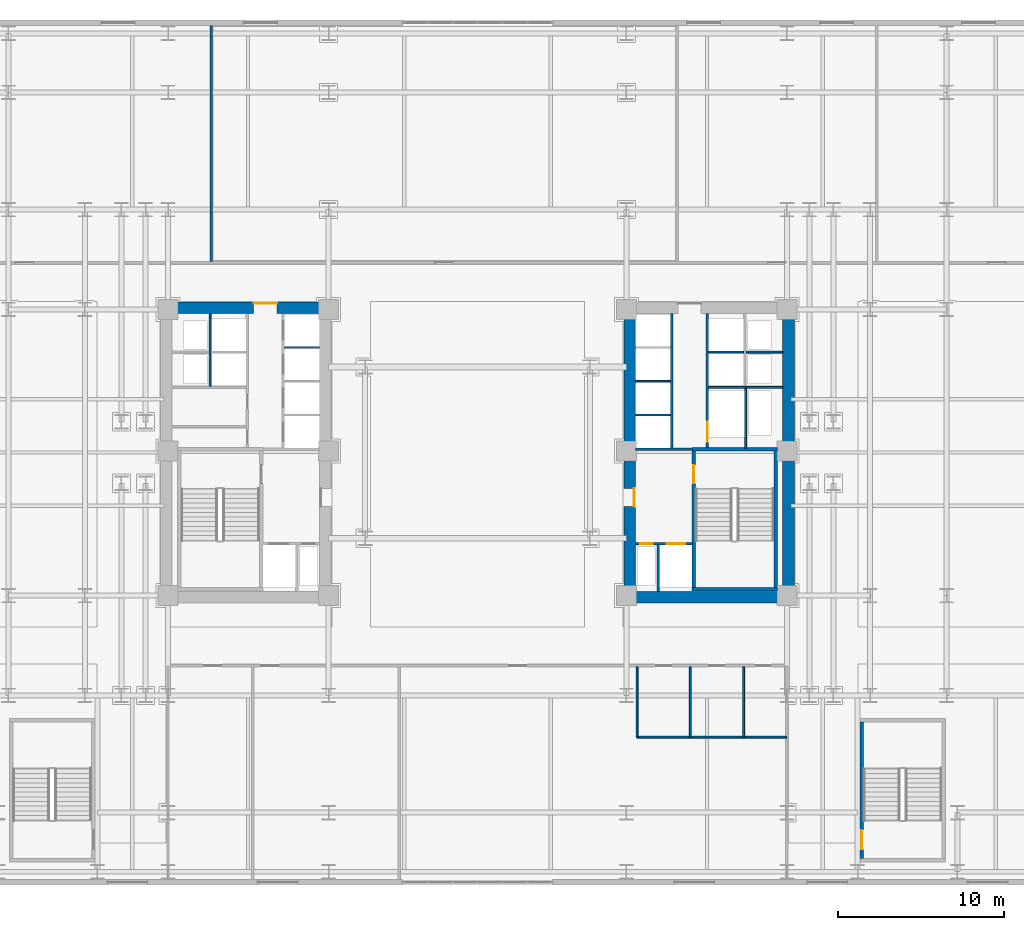
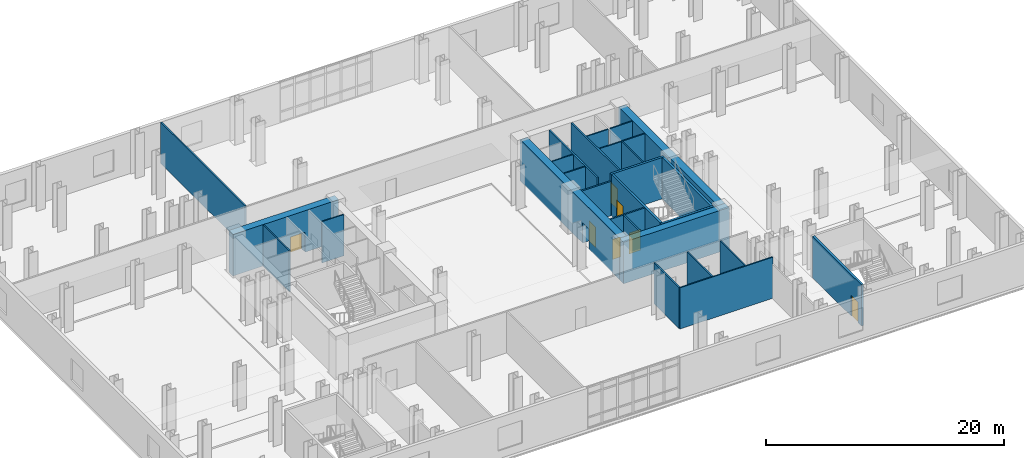
# One storey, part 9 of 15: 27 walls, 7 doors, 7 openings.
"""IFC4 building model written with IfcOpenShell, lengths in metres."""

from ifc_helpers import new_model, si_unit, direction, frame, frame_2d, origin, place, context, subcontext, project, spatial, rectangle, extrude, material, layer, layer_set, type_object, element, fill, save


model = new_model("IFC4")

# Units and contexts
model_context = context("Model", 3, precision=1e-05, world=origin(), true_north=direction((0.0, 1.0)))
body_context = subcontext(model_context, "Body", "Model", "MODEL_VIEW")
ifc_project = project(units=[si_unit("LENGTHUNIT", "METRE"), si_unit("AREAUNIT", "SQUARE_METRE"), si_unit("VOLUMEUNIT", "CUBIC_METRE"), si_unit("PLANEANGLEUNIT", "RADIAN"), si_unit("MASSUNIT", "GRAM", prefix="KILO")], contexts=[model_context])

# Site, building, storey
site_placement = place(None, origin())
site = spatial("IfcSite", under=ifc_project, at=site_placement, CompositionType="ELEMENT")
building_placement = place(site_placement, origin())
building = spatial("IfcBuilding", under=site, at=building_placement, Name="Velakula Bourse", CompositionType="ELEMENT")
storey_placement = place(building_placement, frame((0.0, 0.0, 14.10009765625)))
storey = spatial("IfcBuildingStorey", under=building, at=storey_placement, Name="L03", CompositionType="ELEMENT", Elevation=14.10009765625)

# Wall, opening, door
ifc_material_1 = material(Name="Concrete M50 (fck 50 MPa)", Category="concrete")
ifc_layer_1 = layer(ifc_material_1, 0.2099609375, Name="Concrete M50 (fck 50 MPa)", Category="concrete")
ifc_layer_set_1 = layer_set([ifc_layer_1], Name="Concrete M50 (fck 50 MPa)")
wall_type_1 = type_object("IfcWallType", Name="WL-CORE-210", PredefinedType="SHEAR", material=ifc_layer_set_1)
wall_1_placement = place(storey_placement, frame((12.9951171875, -8.10009765625, 0.0), z_axis=(0.0, 0.0, 1.0), x_axis=(0.0, 1.0, 0.0)))
wall_1 = element("IfcWall", 1, at=wall_1_placement, inside=storey, type_object=wall_type_1, Name="L03 Core E Stairwell Shear Wall IN", PredefinedType="SHEAR", context=body_context, shape_type="SweptSolid", body=[
    extrude(rectangle(XDim=8.2001953125, YDim=0.2099609375, at=frame_2d((4.10009765625, 0.0))), origin(), (0.0, 0.0, 1.0), 4.25),
])
opening_1_placement = place(wall_1_placement, frame((6.25, 0.0, 0.0)))
opening_1 = element("IfcOpeningElement", 2, at=opening_1_placement, cuts=wall_1, Name="Opening D-STE1", PredefinedType="OPENING", context=body_context, shape_type="SweptSolid", body=[
    extrude(rectangle(XDim=1.10009765625, YDim=2.14990234375, at=frame_2d((0.550048828125, 1.074951171875))), frame((0.0, 0.114990234375, 0.0), z_axis=(0.0, -1.0, 0.0), x_axis=(1.0, 0.0, 0.0)), (0.0, 0.0, 1.0), 0.22998046875),
])
ifc_material_2 = material(Name="Galvanised painted hollow steel fire door", Category="steel")
door_type_1 = type_object("IfcDoorType", Name="DR-FD120-1100x2150", OperationType="NOTDEFINED", PredefinedType="DOOR", material=ifc_material_2)
door_1_placement = place(opening_1_placement, origin())
door_1 = element("IfcDoor", 3, at=door_1_placement, inside=storey, type_object=door_type_1, Name="L03 Stair ST-E1 Fire Door", OperationType="SINGLE_SWING_RIGHT", OverallHeight=2.14990234375, OverallWidth=1.10009765625, PredefinedType="DOOR", context=body_context, shape_type="SweptSolid", body=[
    extrude(rectangle(XDim=1.10009765625, YDim=2.14990234375, at=frame_2d((0.550048828125, 1.074951171875))), frame((0.0, 0.02490234375, 0.0), z_axis=(0.0, -1.0, 0.0), x_axis=(1.0, 0.0, 0.0)), (0.0, 0.0, 1.0), 0.050048828125),
])
fill(opening_1, door_1)

# Walls
wall_2_placement = place(storey_placement, frame((17.925048828125, -8.10009765625, 0.0), z_axis=(0.0, 0.0, 1.0), x_axis=(0.0, 1.0, 0.0)))
element("IfcWall", 4, at=wall_2_placement, inside=storey, type_object=wall_type_1, Name="L03 Core E Stairwell Shear Wall OUT", PredefinedType="SHEAR", context=body_context, shape_type="SweptSolid", body=[
    extrude(rectangle(XDim=8.2001953125, YDim=0.2099609375, at=frame_2d((4.10009765625, 0.0))), origin(), (0.0, 0.0, 1.0), 4.25),
])
for number, where, z_axis, x_axis, name in (
    (5, (12.889892578125, -8.205078125, 0.0), (0.0, 0.0, 1.0), (1.0, 0.0, 0.0), "L03 Core E Stairwell Shear Wall S"),
    (6, (18.030029296875, 0.205078125, 0.0), (0.0, 0.0, 1.0), (-1.0, 0.0, 0.0), "L03 Core E Stairwell Shear Wall N"),
):
    element("IfcWall", number, at=place(storey_placement, frame(where, z_axis=z_axis, x_axis=x_axis)), inside=storey, type_object=wall_type_1, Name=name, PredefinedType="SHEAR", context=body_context, shape_type="SweptSolid", body=[
        extrude(rectangle(XDim=5.14013671875, YDim=0.2099609375, at=frame_2d((2.570068359375, 0.0))), origin(), (0.0, 0.0, 1.0), 4.25),
    ])

# Wall, opening, door
wall_3_placement = place(storey_placement, frame((23.094970703125, -24.39990234375, 0.0), z_axis=(0.0, 0.0, 1.0), x_axis=(0.0, 1.0, 0.0)))
wall_3 = element("IfcWall", 7, at=wall_3_placement, inside=storey, type_object=wall_type_1, Name="L03 Podium Stair ST-P2 Shear Wall W", PredefinedType="SHEAR", context=body_context, shape_type="SweptSolid", body=[
    extrude(rectangle(XDim=8.199951171875, YDim=0.2099609375, at=frame_2d((4.10009765625, 0.0))), origin(), (0.0, 0.0, 1.0), 4.25),
])
opening_2_placement = place(wall_3_placement, frame((0.550048828125, 0.0, 0.0)))
opening_2 = element("IfcOpeningElement", 8, at=opening_2_placement, cuts=wall_3, Name="Opening D-P2", PredefinedType="OPENING", context=body_context, shape_type="SweptSolid", body=[
    extrude(rectangle(XDim=1.14990234375, YDim=2.10009765625, at=frame_2d((0.574951171875, 1.050048828125))), frame((0.0, 0.114990234375, 0.0), z_axis=(0.0, -1.0, 0.0), x_axis=(1.0, 0.0, 0.0)), (0.0, 0.0, 1.0), 0.22998046875),
])
door_type_2 = type_object("IfcDoorType", Name="DR-FD120-1150x2100", OperationType="NOTDEFINED", PredefinedType="DOOR", material=ifc_material_2)
door_2_placement = place(opening_2_placement, origin())
door_2 = element("IfcDoor", 9, at=door_2_placement, inside=storey, type_object=door_type_2, Name="L03 Stair ST-P2 Fire Door", OperationType="SINGLE_SWING_RIGHT", OverallHeight=2.10009765625, OverallWidth=1.14990234375, PredefinedType="DOOR", context=body_context, shape_type="SweptSolid", body=[
    extrude(rectangle(XDim=1.14990234375, YDim=2.10009765625, at=frame_2d((0.574951171875, 1.050048828125))), frame((0.0, 0.02490234375, 0.0), z_axis=(0.0, -1.0, 0.0), x_axis=(1.0, 0.0, 0.0)), (0.0, 0.0, 1.0), 0.050048828125),
])
fill(opening_2, door_2)

ifc_material_3 = material(Name="Concrete M70 (fck 70 MPa)", Category="concrete")
ifc_layer_2 = layer(ifc_material_3, 0.699951171875, Name="Concrete M70 (fck 70 MPa)", Category="concrete")
ifc_layer_set_2 = layer_set([ifc_layer_2], Name="Concrete M70 (fck 70 MPa)")
wall_type_2 = type_object("IfcWallType", Name="WL-CORE-700", PredefinedType="SHEAR", material=ifc_layer_set_2)
wall_4_placement = place(storey_placement, frame((-19.050048828125, 8.699951171875, 0.0), z_axis=(0.0, 0.0, 1.0), x_axis=(1.0, 0.0, 0.0)))
wall_4 = element("IfcWall", 10, at=wall_4_placement, inside=storey, type_object=wall_type_2, Name="L03 Core W Shear Wall N", PredefinedType="SHEAR", context=body_context, shape_type="SweptSolid", body=[
    extrude(rectangle(XDim=10.25, YDim=0.699951171875, at=frame_2d((5.125, 0.0))), origin(), (0.0, 0.0, 1.0), 4.25),
])
opening_3_placement = place(wall_4_placement, frame((5.60009765625, 0.0, 0.0)))
opening_3 = element("IfcOpeningElement", 11, at=opening_3_placement, cuts=wall_4, Name="Opening D-LLW", PredefinedType="OPENING", context=body_context, shape_type="SweptSolid", body=[
    extrude(rectangle(XDim=1.39990234375, YDim=2.050048828125, at=frame_2d((0.699951171875, 1.02490234375))), frame((0.0, 0.35986328125, 0.0), z_axis=(0.0, -1.0, 0.0), x_axis=(1.0, 0.0, 0.0)), (0.0, 0.0, 1.0), 0.719970703125),
])
ifc_material_4 = material(Name="Fire-rated hardwood flush architectural door", Category="wood")
door_type_3 = type_object("IfcDoorType", Name="DR-DBL-FD60-1400", OperationType="DOUBLE_DOOR_SINGLE_SWING", PredefinedType="DOOR", material=ifc_material_4)
door_3_placement = place(opening_3_placement, origin())
door_3 = element("IfcDoor", 12, at=door_3_placement, inside=storey, type_object=door_type_3, Name="L03 Core W Lift Lobby Corridor Double Door", OperationType="DOUBLE_DOOR_SINGLE_SWING", OverallHeight=2.050048828125, OverallWidth=1.39990234375, PredefinedType="DOOR", context=body_context, shape_type="SweptSolid", body=[
    extrude(rectangle(XDim=1.39990234375, YDim=2.050048828125, at=frame_2d((0.699951171875, 1.02490234375))), frame((0.0, 0.294921875, 0.0), z_axis=(0.0, -1.0, 0.0), x_axis=(1.0, 0.0, 0.0)), (0.0, 0.0, 1.0), 0.050048828125),
])
fill(opening_3, door_3)

# Wall
wall_5_placement = place(storey_placement, frame((8.800048828125, -8.699951171875, 0.0), z_axis=(0.0, 0.0, 1.0), x_axis=(1.0, 0.0, 0.0)))
element("IfcWall", 13, at=wall_5_placement, inside=storey, type_object=wall_type_2, Name="L03 Core E Shear Wall S", PredefinedType="SHEAR", context=body_context, shape_type="SweptSolid", body=[
    extrude(rectangle(XDim=10.25, YDim=0.699951171875, at=frame_2d((5.125, 0.0))), origin(), (0.0, 0.0, 1.0), 4.25),
])

# Wall, opening, door
wall_6_placement = place(storey_placement, frame((9.14990234375, -8.35009765625, 0.0), z_axis=(0.0, 0.0, 1.0), x_axis=(0.0, 1.0, 0.0)))
wall_6 = element("IfcWall", 14, at=wall_6_placement, inside=storey, type_object=wall_type_2, Name="L03 Core E Shear Wall W", PredefinedType="SHEAR", context=body_context, shape_type="SweptSolid", body=[
    extrude(rectangle(XDim=16.7001953125, YDim=0.699951171875, at=frame_2d((8.35009765625, 0.0))), origin(), (0.0, 0.0, 1.0), 4.25),
])
opening_4_placement = place(wall_6_placement, frame((5.10009765625, 0.0, 0.0)))
opening_4 = element("IfcOpeningElement", 15, at=opening_4_placement, cuts=wall_6, Name="Opening D-FLE", PredefinedType="OPENING", context=body_context, shape_type="SweptSolid", body=[
    extrude(rectangle(XDim=1.10009765625, YDim=2.080078125, at=frame_2d((0.550048828125, 1.0400390625))), frame((0.0, 0.35986328125, 0.0), z_axis=(0.0, -1.0, 0.0), x_axis=(1.0, 0.0, 0.0)), (0.0, 0.0, 1.0), 0.719970703125),
])
door_type_4 = type_object("IfcDoorType", Name="DR-FD120-1100", OperationType="NOTDEFINED", PredefinedType="DOOR", material=ifc_material_2)
door_4_placement = place(opening_4_placement, origin())
door_4 = element("IfcDoor", 16, at=door_4_placement, inside=storey, type_object=door_type_4, Name="L03 Firefighting Lobby E Corridor Fire Door", OperationType="SINGLE_SWING_RIGHT", OverallHeight=2.080078125, OverallWidth=1.10009765625, PredefinedType="DOOR", context=body_context, shape_type="SweptSolid", body=[
    extrude(rectangle(XDim=1.10009765625, YDim=2.080078125, at=frame_2d((0.550048828125, 1.0400390625))), frame((0.0, -0.2548828125, 0.0), z_axis=(0.0, -1.0, 0.0), x_axis=(1.0, 0.0, 0.0)), (0.0, 0.0, 1.0), 0.050048828125),
])
fill(opening_4, door_4)

# Walls
wall_7_placement = place(storey_placement, frame((18.699951171875, -8.35009765625, 0.0), z_axis=(0.0, 0.0, 1.0), x_axis=(0.0, 1.0, 0.0)))
element("IfcWall", 17, at=wall_7_placement, inside=storey, type_object=wall_type_2, Name="L03 Core E Shear Wall E", PredefinedType="SHEAR", context=body_context, shape_type="SweptSolid", body=[
    extrude(rectangle(XDim=16.7001953125, YDim=0.699951171875, at=frame_2d((8.35009765625, 0.0))), origin(), (0.0, 0.0, 1.0), 4.25),
])
ifc_material_5 = material(Name="Fire-rated double-layer gypsum drywall partition", Category="gypsum")
ifc_layer_3 = layer(ifc_material_5, 0.1201171875, Name="Fire-rated double-layer gypsum drywall partition", Category="gypsum")
ifc_layer_set_3 = layer_set([ifc_layer_3], Name="Fire-rated double-layer gypsum drywall partition")
wall_type_3 = type_object("IfcWallType", Name="WL-PART-120", PredefinedType="STANDARD", material=ifc_layer_set_3)
wall_8_placement = place(storey_placement, frame((-11.60009765625, 6.31494140625, 0.0), z_axis=(0.0, 0.0, 1.0), x_axis=(1.0, 0.0, 0.0)))
element("IfcWall", 18, at=wall_8_placement, inside=storey, type_object=wall_type_3, Name="L03 Interior Partition WL-CRW-L03-BDIV-2", PredefinedType="STANDARD", context=body_context, shape_type="SweptSolid", body=[
    extrude(rectangle(XDim=2.10009765625, YDim=0.110107421875, at=frame_2d((1.050048828125, 0.0))), origin(), (0.0, 0.0, 1.0), 4.22998046875),
])
wall_9_placement = place(storey_placement, frame((-16.074951171875, 3.97998046875, 0.0), z_axis=(0.0, 0.0, 1.0), x_axis=(0.0, 1.0, 0.0)))
element("IfcWall", 19, at=wall_9_placement, inside=storey, type_object=wall_type_3, Name="L03 Interior Partition WL-CRW-L03-RIS-F", PredefinedType="STANDARD", context=body_context, shape_type="SweptSolid", body=[
    extrude(rectangle(XDim=4.3701171875, YDim=0.1201171875, at=frame_2d((2.18505859375, 0.0))), origin(), (0.0, 0.0, 1.0), 4.22998046875),
])
for number, where, z_axis, x_axis, name in (
    (20, (9.5, 2.2548828125, 0.0), (0.0, 0.0, 1.0), (1.0, 0.0, 0.0), "L03 Interior Partition WL-CRE-L03-BDIV-0"),
    (21, (9.5, 4.284912109375, 0.0), (0.0, 0.0, 1.0), (1.0, 0.0, 0.0), "L03 Interior Partition WL-CRE-L03-BDIV-1"),
):
    element("IfcWall", number, at=place(storey_placement, frame(where, z_axis=z_axis, x_axis=x_axis)), inside=storey, type_object=wall_type_3, Name=name, PredefinedType="STANDARD", context=body_context, shape_type="SweptSolid", body=[
        extrude(rectangle(XDim=2.10009765625, YDim=0.110107421875, at=frame_2d((1.050048828125, 0.0))), origin(), (0.0, 0.0, 1.0), 4.22998046875),
    ])
wall_10_placement = place(storey_placement, frame((13.89990234375, 3.919921875, 0.0), z_axis=(0.0, 0.0, 1.0), x_axis=(1.0, 0.0, 0.0)))
element("IfcWall", 22, at=wall_10_placement, inside=storey, type_object=wall_type_3, Name="L03 Interior Partition WL-CRE-L03-HI-S", PredefinedType="STANDARD", context=body_context, shape_type="SweptSolid", body=[
    extrude(rectangle(XDim=4.4501953125, YDim=0.1201171875, at=frame_2d((2.22509765625, 0.0))), origin(), (0.0, 0.0, 1.0), 4.22998046875),
])
wall_11_placement = place(storey_placement, frame((16.14990234375, 6.030029296875, 0.0), z_axis=(0.0, 0.0, 1.0), x_axis=(1.0, 0.0, 0.0)))
element("IfcWall", 23, at=wall_11_placement, inside=storey, type_object=wall_type_3, Name="L03 Interior Partition WL-CRE-L03-RIS-MID", PredefinedType="STANDARD", context=body_context, shape_type="SweptSolid", body=[
    extrude(rectangle(XDim=2.2001953125, YDim=0.1201171875, at=frame_2d((1.10009765625, 0.0))), origin(), (0.0, 0.0, 1.0), 4.22998046875),
])
wall_12_placement = place(storey_placement, frame((13.89990234375, 6.030029296875, 0.0), z_axis=(0.0, 0.0, 1.0), x_axis=(1.0, 0.0, 0.0)))
element("IfcWall", 24, at=wall_12_placement, inside=storey, type_object=wall_type_3, Name="L03 Interior Partition WL-CRE-L03-HI-DIV", PredefinedType="STANDARD", context=body_context, shape_type="SweptSolid", body=[
    extrude(rectangle(XDim=2.10009765625, YDim=0.1201171875, at=frame_2d((1.050048828125, 0.0))), origin(), (0.0, 0.0, 1.0), 4.22998046875),
])
wall_13_placement = place(storey_placement, frame((16.125, 0.27001953125, 0.0), z_axis=(0.0, 0.0, 1.0), x_axis=(0.0, 1.0, 0.0)))
element("IfcWall", 25, at=wall_13_placement, inside=storey, type_object=wall_type_3, Name="L03 Interior Partition WL-CRE-L03-SVL-E", PredefinedType="STANDARD", context=body_context, shape_type="SweptSolid", body=[
    extrude(rectangle(XDim=3.590087890625, YDim=0.1201171875, at=frame_2d((1.794921875, 0.0))), origin(), (0.0, 0.0, 1.0), 4.22998046875),
])
ifc_layer_4 = layer(ifc_material_5, 0.139892578125, Name="Fire-rated double-layer gypsum drywall partition", Category="gypsum")
ifc_layer_set_4 = layer_set([ifc_layer_4], Name="Fire-rated double-layer gypsum drywall partition")
wall_type_4 = type_object("IfcWallType", Name="WL-PART-140", PredefinedType="STANDARD", material=ifc_layer_set_4)
wall_14_placement = place(storey_placement, frame((-16.0, 11.489990234375, 0.0), z_axis=(0.0, 0.0, 1.0), x_axis=(0.0, 1.0, 0.0)))
element("IfcWall", 26, at=wall_14_placement, inside=storey, type_object=wall_type_4, Name="L03 Interior Partition WL-POD-L03-ND1", PredefinedType="STANDARD", context=body_context, shape_type="SweptSolid", body=[
    extrude(rectangle(XDim=14.18994140625, YDim=0.139892578125, at=frame_2d((7.094970703125, 0.0))), origin(), (0.0, 0.0, 1.0), 4.22998046875),
])
wall_15_placement = place(storey_placement, frame((9.60009765625, -17.10009765625, 0.0), z_axis=(0.0, 0.0, 1.0), x_axis=(1.0, 0.0, 0.0)))
element("IfcWall", 27, at=wall_15_placement, inside=storey, type_object=wall_type_4, Name="L03 Interior Partition WL-POD-L03-WC-BACK", PredefinedType="STANDARD", context=body_context, shape_type="SweptSolid", body=[
    extrude(rectangle(XDim=9.0, YDim=0.1201171875, at=frame_2d((4.5, 0.0))), origin(), (0.0, 0.0, 1.0), 4.22998046875),
])
for number, where, z_axis, x_axis, name in (
    (28, (9.60009765625, -17.10009765625, 0.0), (0.0, 0.0, 1.0), (0.0, 1.0, 0.0), "L03 Interior Partition WL-POD-L03-WC-V1"),
    (29, (12.800048828125, -17.10009765625, 0.0), (0.0, 0.0, 1.0), (0.0, 1.0, 0.0), "L03 Interior Partition WL-POD-L03-WC-V2"),
    (30, (16.0, -17.10009765625, 0.0), (0.0, 0.0, 1.0), (0.0, 1.0, 0.0), "L03 Interior Partition WL-POD-L03-WC-V3"),
):
    element("IfcWall", number, at=place(storey_placement, frame(where, z_axis=z_axis, x_axis=x_axis)), inside=storey, type_object=wall_type_4, Name=name, PredefinedType="STANDARD", context=body_context, shape_type="SweptSolid", body=[
        extrude(rectangle(XDim=4.210205078125, YDim=0.1201171875, at=frame_2d((2.10498046875, 0.0))), origin(), (0.0, 0.0, 1.0), 4.22998046875),
    ])

# Wall, openings, doors
ifc_material_6 = material(Name="Autoclaved aerated concrete blockwork masonry", Category="masonry")
ifc_layer_5 = layer(ifc_material_6, 0.14990234375, Name="Autoclaved aerated concrete blockwork masonry", Category="masonry")
ifc_layer_set_5 = layer_set([ifc_layer_5], Name="Autoclaved aerated concrete blockwork masonry")
wall_type_5 = type_object("IfcWallType", Name="WL-SHAFT-150", PredefinedType="STANDARD", material=ifc_layer_set_5)
wall_16_placement = place(storey_placement, frame((9.5, -5.47509765625, 0.0), z_axis=(0.0, 0.0, 1.0), x_axis=(1.0, 0.0, 0.0)))
wall_16 = element("IfcWall", 31, at=wall_16_placement, inside=storey, type_object=wall_type_5, Name="L03 Interior Partition WL-CRE-L03-FFL-N", PredefinedType="STANDARD", context=body_context, shape_type="SweptSolid", body=[
    extrude(rectangle(XDim=3.39501953125, YDim=0.14990234375, at=frame_2d((1.697509765625, 0.0))), origin(), (0.0, 0.0, 1.0), 4.22998046875),
])
opening_5_placement = place(wall_16_placement, frame((1.875, 0.0, 0.0)))
opening_5 = element("IfcOpeningElement", 32, at=opening_5_placement, cuts=wall_16, Name="Opening LD-FFL-2", PredefinedType="OPENING", context=body_context, shape_type="SweptSolid", body=[
    extrude(rectangle(XDim=1.10009765625, YDim=2.14990234375, at=frame_2d((0.550048828125, 1.074951171875))), frame((0.0, 0.0849609375, 0.0), z_axis=(0.0, -1.0, 0.0), x_axis=(1.0, 0.0, 0.0)), (0.0, 0.0, 1.0), 0.169921875),
])
opening_6_placement = place(wall_16_placement, frame((0.27490234375, 0.0, 0.0)))
opening_6 = element("IfcOpeningElement", 33, at=opening_6_placement, cuts=wall_16, Name="Opening D-RS1", PredefinedType="OPENING", context=body_context, shape_type="SweptSolid", body=[
    extrude(rectangle(XDim=0.75, YDim=2.050048828125, at=frame_2d((0.375, 1.02490234375))), frame((0.0, 0.0849609375, 0.0), z_axis=(0.0, -1.0, 0.0), x_axis=(1.0, 0.0, 0.0)), (0.0, 0.0, 1.0), 0.169921875),
])
door_type_5 = type_object("IfcDoorType", Name="DR-RISER-800", OperationType="NOTDEFINED", PredefinedType="DOOR", material=ifc_material_2)
door_5_placement = place(opening_6_placement, origin())
door_5 = element("IfcDoor", 34, at=door_5_placement, inside=storey, type_object=door_type_5, Name="L03 Fire Riser Access Door", OperationType="SINGLE_SWING_LEFT", OverallHeight=2.050048828125, OverallWidth=0.75, PredefinedType="DOOR", context=body_context, shape_type="SweptSolid", body=[
    extrude(rectangle(XDim=0.75, YDim=2.050048828125, at=frame_2d((0.375, 1.02490234375))), frame((0.0, 0.02490234375, 0.0), z_axis=(0.0, -1.0, 0.0), x_axis=(1.0, 0.0, 0.0)), (0.0, 0.0, 1.0), 0.050048828125),
])
fill(opening_6, door_5)
ifc_material_7 = material(Name="Brushed grade 316 stainless steel", Category="steel")
door_type_6 = type_object("IfcDoorType", Name="DR-SLIDE-FFL-1100", OperationType="DOUBLE_DOOR_SLIDING", PredefinedType="DOOR", material=ifc_material_7)
door_6_placement = place(opening_5_placement, origin())
door_6 = element("IfcDoor", 35, at=door_6_placement, inside=storey, type_object=door_type_6, Name="L03 Firefighting Lift FFL-2 Sliding Landing Door", OperationType="DOUBLE_DOOR_SLIDING", OverallHeight=2.14990234375, OverallWidth=1.10009765625, PredefinedType="DOOR", context=body_context, shape_type="SweptSolid", body=[
    extrude(rectangle(XDim=1.10009765625, YDim=2.14990234375, at=frame_2d((0.550048828125, 1.074951171875))), frame((0.0, 0.02490234375, 0.0), z_axis=(0.0, -1.0, 0.0), x_axis=(1.0, 0.0, 0.0)), (0.0, 0.0, 1.0), 0.050048828125),
])
fill(opening_5, door_6)

# Walls
wall_17_placement = place(storey_placement, frame((10.875, -8.35009765625, 0.0), z_axis=(0.0, 0.0, 1.0), x_axis=(0.0, 1.0, 0.0)))
element("IfcWall", 36, at=wall_17_placement, inside=storey, type_object=wall_type_5, Name="L03 Interior Partition WL-CRE-L03-FR-DIV", PredefinedType="STANDARD", context=body_context, shape_type="SweptSolid", body=[
    extrude(rectangle(XDim=2.800048828125, YDim=0.14990234375, at=frame_2d((1.39990234375, 0.0))), origin(), (0.0, 0.0, 1.0), 4.22998046875),
])
wall_18_placement = place(storey_placement, frame((9.5, 0.18994140625, 0.0), z_axis=(0.0, 0.0, 1.0), x_axis=(1.0, 0.0, 0.0)))
element("IfcWall", 37, at=wall_18_placement, inside=storey, type_object=wall_type_5, Name="L03 Interior Partition WL-CRE-L03-FF-TOP", PredefinedType="STANDARD", context=body_context, shape_type="SweptSolid", body=[
    extrude(rectangle(XDim=3.389892578125, YDim=0.14990234375, at=frame_2d((1.69482421875, 0.0))), origin(), (0.0, 0.0, 1.0), 3.52490234375),
])
wall_19_placement = place(storey_placement, frame((11.675048828125, 0.27001953125, 0.0), z_axis=(0.0, 0.0, 1.0), x_axis=(0.0, 1.0, 0.0)))
element("IfcWall", 38, at=wall_19_placement, inside=storey, type_object=wall_type_5, Name="L03 Interior Partition WL-CRE-L03-BANK-F", PredefinedType="STANDARD", context=body_context, shape_type="SweptSolid", body=[
    extrude(rectangle(XDim=8.080078125, YDim=0.14990234375, at=frame_2d((4.0400390625, 0.0))), origin(), (0.0, 0.0, 1.0), 4.22998046875),
])

# Wall, opening, door
wall_20_placement = place(storey_placement, frame((13.824951171875, 0.27001953125, 0.0), z_axis=(0.0, 0.0, 1.0), x_axis=(0.0, 1.0, 0.0)))
wall_20 = element("IfcWall", 39, at=wall_20_placement, inside=storey, type_object=wall_type_5, Name="L03 Interior Partition WL-CRE-L03-OUT-F", PredefinedType="STANDARD", context=body_context, shape_type="SweptSolid", body=[
    extrude(rectangle(XDim=8.080078125, YDim=0.14990234375, at=frame_2d((4.0400390625, 0.0))), origin(), (0.0, 0.0, 1.0), 4.22998046875),
])
opening_7_placement = place(wall_20_placement, frame((0.3798828125, 0.0, 0.0)))
opening_7 = element("IfcOpeningElement", 40, at=opening_7_placement, cuts=wall_20, Name="Opening LD-SVL1", PredefinedType="OPENING", context=body_context, shape_type="SweptSolid", body=[
    extrude(rectangle(XDim=1.199951171875, YDim=2.10009765625, at=frame_2d((0.60009765625, 1.050048828125))), frame((0.0, 0.0849609375, 0.0), z_axis=(0.0, -1.0, 0.0), x_axis=(1.0, 0.0, 0.0)), (0.0, 0.0, 1.0), 0.169921875),
])
door_type_7 = type_object("IfcDoorType", Name="DR-SLIDE-LD-1200", OperationType="DOUBLE_DOOR_SLIDING", PredefinedType="DOOR", material=ifc_material_7)
door_7_placement = place(opening_7_placement, origin())
door_7 = element("IfcDoor", 41, at=door_7_placement, inside=storey, type_object=door_type_7, Name="L03 Service Lift SVL-1 Sliding Landing Door", OperationType="DOUBLE_DOOR_SLIDING", OverallHeight=2.10009765625, OverallWidth=1.199951171875, PredefinedType="DOOR", context=body_context, shape_type="SweptSolid", body=[
    extrude(rectangle(XDim=1.199951171875, YDim=2.10009765625, at=frame_2d((0.60009765625, 1.050048828125))), frame((0.0, 0.02490234375, 0.0), z_axis=(0.0, -1.0, 0.0), x_axis=(1.0, 0.0, 0.0)), (0.0, 0.0, 1.0), 0.050048828125),
])
fill(opening_7, door_7)

save(model, "model.ifc")
